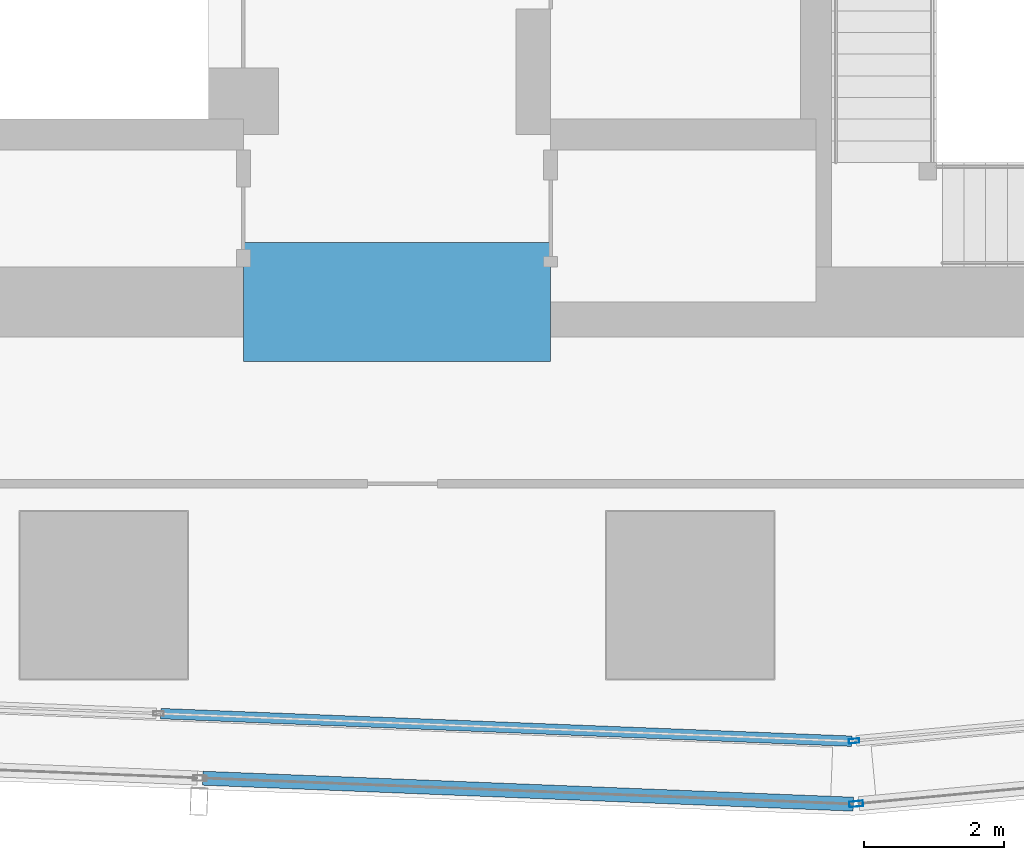
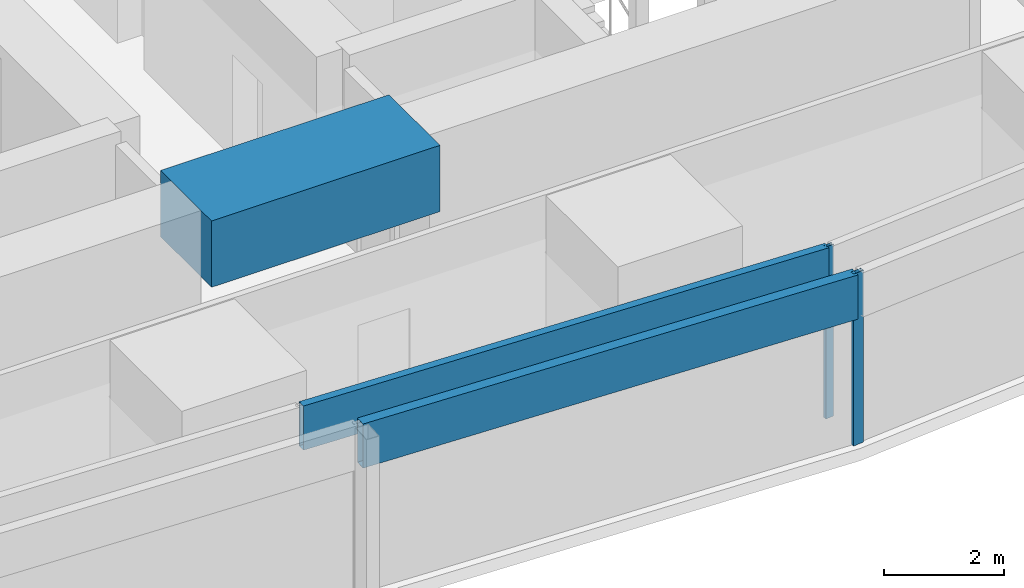
# One storey, part 8 of 37: 4 members, 1 beam, 4 elements without a shape of their own.
"""IFC4 building model written with IfcOpenShell, lengths in metres."""

from ifc_helpers import new_model, si_unit, direction, frame, origin, origin_2d, place, context, subcontext, project, spatial, rectangle, hollow_rectangle, extrude, material, material_profile, profile_set, type_object, element, aggregate, save


model = new_model("IFC4")

# Units and contexts
model_context = context("Model", 3, precision=1e-05, world=origin(), true_north=direction((0.0, 1.0)))
body_context = subcontext(model_context, "Body", "Model", "MODEL_VIEW")
ifc_project = project(units=[si_unit("LENGTHUNIT", "METRE"), si_unit("AREAUNIT", "SQUARE_METRE"), si_unit("VOLUMEUNIT", "CUBIC_METRE"), si_unit("PLANEANGLEUNIT", "RADIAN"), si_unit("MASSUNIT", "GRAM", prefix="KILO")], contexts=[model_context])

# Site, building, storey
site_placement = place(None, origin())
site = spatial("IfcSite", under=ifc_project, at=site_placement, CompositionType="ELEMENT")
building_placement = place(site_placement, origin())
building = spatial("IfcBuilding", under=site, at=building_placement, Name="Rekha Terrace Tower", CompositionType="ELEMENT")
storey_placement = place(building_placement, frame((0.0, 0.0, 228.949951171875)))
storey = spatial("IfcBuildingStorey", under=building, at=storey_placement, Name="L58", CompositionType="ELEMENT", Elevation=228.949951171875)

# Curtain wall, member
ifc_material_1 = material(Name="Aluminium framing", Category="aluminium")
curtain_wall_type_1 = type_object("IfcCurtainWallType", Name="CW1 double skin inner glazing", PredefinedType="USERDEFINED", material=ifc_material_1)
curtain_wall_1_placement = place(storey_placement, origin())
curtain_wall_1 = element("IfcCurtainWall", 1, at=curtain_wall_1_placement, inside=storey, type_object=curtain_wall_type_1, Name="CW1 double skin inner glazing", ObjectType="DOUBLE SKIN INNER GLAZING", PredefinedType="USERDEFINED")
ifc_material_2 = material(Name="Aluminium mullion section", Category="aluminium")
ifc_material_profile_1 = material_profile(ifc_material_2, hollow_rectangle(XDim=0.06494140625, YDim=0.14990234375, WallThickness=0.00390625, at=origin_2d()), Name="AL RHS 65x150")
ifc_profile_set_1 = profile_set([ifc_material_profile_1], Name="Aluminium mullion section")
member_type_1 = type_object("IfcMemberType", Name="CW1 mullion RHS 65 x 150", PredefinedType="MULLION", material=ifc_profile_set_1)
member_1_placement = place(storey_placement, frame((44.34423828125, 14.715087890625, 0.0), z_axis=(0.0, 0.0, 1.0), x_axis=(-0.092708869546, 0.995693258744, 0.0)))
member_1 = element("IfcMember", 2, at=member_1_placement, type_object=member_type_1, Name="CW1 mullion 1", PredefinedType="MULLION", context=body_context, shape_type="SweptSolid", body=[
    extrude(hollow_rectangle(XDim=0.06494140625, YDim=0.14990234375, WallThickness=0.00390625, at=origin_2d()), origin(), (0.0, 0.0, 1.0), 3.5),
])
aggregate(curtain_wall_1, [member_1])

curtain_wall_2_placement = place(storey_placement, origin())
curtain_wall_2 = element("IfcCurtainWall", 3, at=curtain_wall_2_placement, inside=storey, type_object=curtain_wall_type_1, Name="CW1 double skin inner glazing", ObjectType="DOUBLE SKIN INNER GLAZING", PredefinedType="USERDEFINED")
ifc_material_3 = material(Name="Insulated aluminium spandrel box", Category="aluminium")
ifc_material_profile_2 = material_profile(ifc_material_3, hollow_rectangle(XDim=0.14990234375, YDim=0.89990234375, WallThickness=0.0029296875, at=origin_2d()), Name="AL SPANDREL BOX 150x900")
ifc_profile_set_2 = profile_set([ifc_material_profile_2], Name="Insulated aluminium spandrel box")
member_type_2 = type_object("IfcMemberType", Name="CW1 spandrel transom 150 x 900", PredefinedType="USERDEFINED", material=ifc_profile_set_2)
member_2_placement = place(storey_placement, frame((34.416748046875, 15.10693359375, 3.050048828125), z_axis=(0.999204106217, -0.039889273226, 0.0), x_axis=(0.039889273226, 0.999204106217, 0.0)))
member_2 = element("IfcMember", 4, at=member_2_placement, type_object=member_type_2, Name="CW1 spandrel transom 2", ObjectType="TRANSOM", PredefinedType="USERDEFINED", context=body_context, shape_type="SweptSolid", body=[
    extrude(hollow_rectangle(XDim=0.14990234375, YDim=0.89990234375, WallThickness=0.0029296875, at=origin_2d()), origin(), (0.0, 0.0, 1.0), 9.90283203125),
])
aggregate(curtain_wall_2, [member_2])

curtain_wall_type_2 = type_object("IfcCurtainWallType", Name="CW2 double skin outer glazing", PredefinedType="USERDEFINED", material=ifc_material_1)
curtain_wall_3_placement = place(storey_placement, origin())
curtain_wall_3 = element("IfcCurtainWall", 5, at=curtain_wall_3_placement, inside=storey, type_object=curtain_wall_type_2, Name="CW2 double skin outer glazing", ObjectType="DOUBLE SKIN OUTER GLAZING", PredefinedType="USERDEFINED")
ifc_material_profile_3 = material_profile(ifc_material_2, hollow_rectangle(XDim=0.080078125, YDim=0.199951171875, WallThickness=0.00390625, at=origin_2d()), Name="AL RHS 80x200")
ifc_profile_set_3 = profile_set([ifc_material_profile_3], Name="Aluminium mullion section")
member_type_3 = type_object("IfcMemberType", Name="CW2 mullion RHS 80 x 200", PredefinedType="MULLION", material=ifc_profile_set_3)
member_3_placement = place(storey_placement, frame((44.37548828125, 13.81396484375, 0.0), z_axis=(0.0, 0.0, 1.0), x_axis=(-0.092708869512, 0.995693258747, 0.0)))
member_3 = element("IfcMember", 6, at=member_3_placement, type_object=member_type_3, Name="CW2 mullion 1", PredefinedType="MULLION", context=body_context, shape_type="SweptSolid", body=[
    extrude(hollow_rectangle(XDim=0.080078125, YDim=0.199951171875, WallThickness=0.00390625, at=origin_2d()), origin(), (0.0, 0.0, 1.0), 3.5),
])
aggregate(curtain_wall_3, [member_3])

curtain_wall_4_placement = place(storey_placement, origin())
curtain_wall_4 = element("IfcCurtainWall", 7, at=curtain_wall_4_placement, inside=storey, type_object=curtain_wall_type_2, Name="CW2 double skin outer glazing", ObjectType="DOUBLE SKIN OUTER GLAZING", PredefinedType="USERDEFINED")
ifc_material_profile_4 = material_profile(ifc_material_3, hollow_rectangle(XDim=0.199951171875, YDim=0.89990234375, WallThickness=0.0029296875, at=origin_2d()), Name="AL SPANDREL BOX 200x900")
ifc_profile_set_4 = profile_set([ifc_material_profile_4], Name="Insulated aluminium spandrel box")
member_type_4 = type_object("IfcMemberType", Name="CW2 spandrel transom 200 x 900", PredefinedType="USERDEFINED", material=ifc_profile_set_4)
member_4_placement = place(storey_placement, frame((35.01708984375, 14.18212890625, 3.050048828125), z_axis=(0.999204884837, -0.039869764458, 0.0), x_axis=(0.039869764458, 0.999204884837, 0.0)))
member_4 = element("IfcMember", 8, at=member_4_placement, type_object=member_type_4, Name="CW2 spandrel transom 4", ObjectType="TRANSOM", PredefinedType="USERDEFINED", context=body_context, shape_type="SweptSolid", body=[
    extrude(hollow_rectangle(XDim=0.199951171875, YDim=0.89990234375, WallThickness=0.0029296875, at=origin_2d()), origin(), (0.0, 0.0, 1.0), 9.325927734375),
])
aggregate(curtain_wall_4, [member_4])

# Beam
ifc_material_4 = material(Name="Concrete M60", Category="concrete")
ifc_material_profile_5 = material_profile(ifc_material_4, rectangle(XDim=1.699951171875, YDim=1.35009765625, at=origin_2d()), Name="RC 1700x1350")
ifc_profile_set_5 = profile_set([ifc_material_profile_5], Name="Concrete M60")
beam_type = type_object("IfcBeamType", Name="LB3A 1700x1350 diagonally reinforced coupling beam", PredefinedType="LINTEL", material=ifc_profile_set_5)
beam_placement = place(storey_placement, frame((35.60009765625, 21.0, 3.074951171875), z_axis=(1.0, 0.0, 0.0), x_axis=(0.0, 1.0, 0.0)))
element("IfcBeam", 9, at=beam_placement, inside=storey, type_object=beam_type, Name="Coupling beam LB3A S L58", PredefinedType="LINTEL", context=body_context, shape_type="SweptSolid", body=[
    extrude(rectangle(XDim=1.699951171875, YDim=1.35009765625, at=origin_2d()), origin(), (0.0, 0.0, 1.0), 4.39990234375),
])

save(model, "model.ifc")
